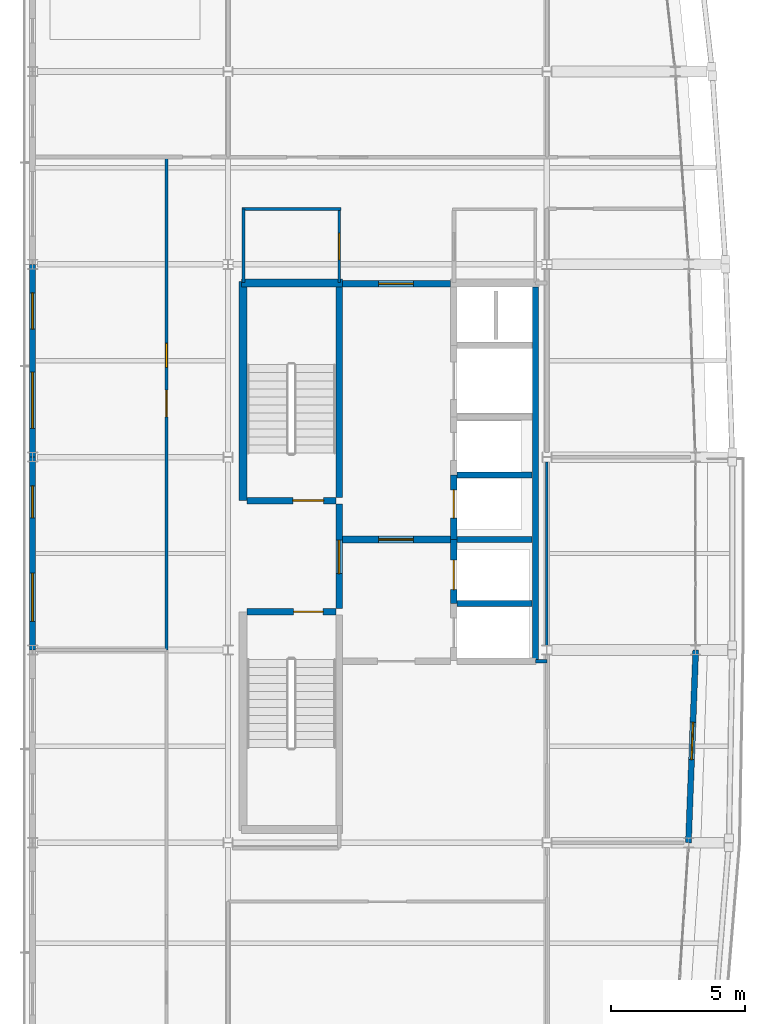
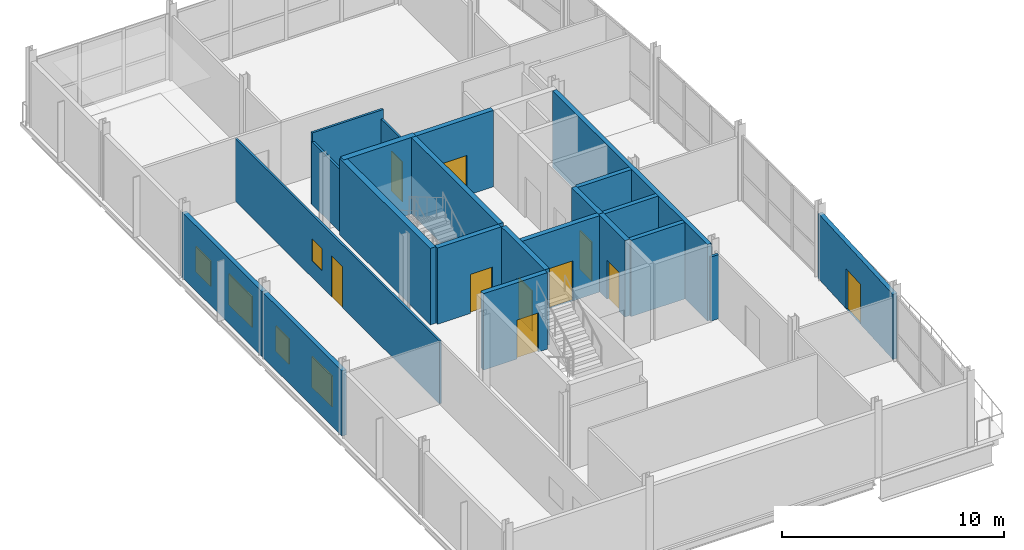
# One storey, part 12 of 17: 23 walls, 10 doors, 5 windows, 15 openings.
"""IFC4 building model written with IfcOpenShell, lengths in metres."""

from ifc_helpers import new_model, si_unit, direction, frame, frame_2d, origin, place, context, subcontext, project, spatial, rectangle, extrude, material, layer, layer_set, type_object, element, fill, save


model = new_model("IFC4")

# Units and contexts
model_context = context("Model", 3, precision=1e-05, world=origin(), true_north=direction((0.0, 1.0)))
body_context = subcontext(model_context, "Body", "Model", "MODEL_VIEW")
ifc_project = project(units=[si_unit("LENGTHUNIT", "METRE"), si_unit("AREAUNIT", "SQUARE_METRE"), si_unit("VOLUMEUNIT", "CUBIC_METRE"), si_unit("PLANEANGLEUNIT", "RADIAN"), si_unit("MASSUNIT", "GRAM", prefix="KILO")], contexts=[model_context])

# Site, building, storey
site_placement = place(None, origin())
site = spatial("IfcSite", under=ifc_project, at=site_placement, CompositionType="ELEMENT")
building_placement = place(site_placement, origin())
building = spatial("IfcBuilding", under=site, at=building_placement, Name="Quillay Park Conservatory", CompositionType="ELEMENT")
storey_placement = place(building_placement, frame((0.0, 0.0, 47.699951171875)))
storey = spatial("IfcBuildingStorey", under=building, at=storey_placement, Name="L11", CompositionType="ELEMENT", Elevation=47.699951171875)

# Wall
ifc_material_1 = material(Name="Steel-Stud Acoustic Gypsum Board Partition", Category="steel")
ifc_layer_1 = layer(ifc_material_1, 0.10009765625)
ifc_layer_set_1 = layer_set([ifc_layer_1], Name="ACOUSTIC GYPSUM PARTITION 100 (Steel-Stud Acoustic Gypsum Board Partition)")
wall_type_1 = type_object("IfcWallType", Name="ACOUSTIC GYPSUM PARTITION 100", PredefinedType="PARTITIONING", material=ifc_layer_set_1)
wall_1_placement = place(storey_placement, frame((19.75, 85.373046875, 0.0), z_axis=(0.0, 0.0, 1.0), x_axis=(0.0, 1.0, 0.0)))
element("IfcWall", 1, at=wall_1_placement, inside=storey, type_object=wall_type_1, Name="L11 East Sky-Terrace Botanical Field Studio West Wall 2", PredefinedType="PARTITIONING", context=body_context, shape_type="SweptSolid", body=[
    extrude(rectangle(XDim=6.847412109375, YDim=0.10009765625, at=frame_2d((3.423828125, 0.0))), origin(), (0.0, 0.0, 1.0), 3.527099609375),
])

# Wall, openings, window, door
ifc_material_2 = material(Name="Steel-Stud Acoustic Gypsum Board Partition", Category="steel")
ifc_layer_2 = layer(ifc_material_2, 0.10498046875)
ifc_layer_set_2 = layer_set([ifc_layer_2], Name="ACOUSTIC GYPSUM PARTITION 105 (Steel-Stud Acoustic Gypsum Board Partition)")
wall_type_2 = type_object("IfcWallType", Name="ACOUSTIC GYPSUM PARTITION 105", PredefinedType="PARTITIONING", material=ifc_layer_set_2)
wall_2_placement = place(storey_placement, frame((5.550048828125, 85.199951171875, 0.0), z_axis=(0.0, 0.0, 1.0), x_axis=(0.0, 1.0, 0.0)))
wall_2 = element("IfcWall", 2, at=wall_2_placement, inside=storey, type_object=wall_type_2, Name="L11 Ecology Fellows Reading Room Corridor Wall", PredefinedType="PARTITIONING", context=body_context, shape_type="SweptSolid", body=[
    extrude(rectangle(XDim=18.400146484375, YDim=0.10498046875, at=frame_2d((9.2001953125, 0.0))), origin(), (0.0, 0.0, 1.0), 3.450927734375),
])
opening_1_placement = place(wall_2_placement, frame((8.699951171875, 0.0, 0.0)))
opening_1 = element("IfcOpeningElement", 3, at=opening_1_placement, cuts=wall_2, Name="Opening D-RM19", PredefinedType="OPENING", context=body_context, shape_type="SweptSolid", body=[
    extrude(rectangle(XDim=1.0, YDim=2.25, at=frame_2d((0.5, 1.125))), frame((0.0, 0.052490234375, 0.0), z_axis=(0.0, -1.0, 0.0), x_axis=(1.0, 0.0, 0.0)), (0.0, 0.0, 1.0), 0.10498046875),
])
opening_2_placement = place(wall_2_placement, frame((10.550048828125, 0.0, 0.919921875)))
opening_2 = element("IfcOpeningElement", 4, at=opening_2_placement, cuts=wall_2, Name="Opening W-IN05", PredefinedType="OPENING", context=body_context, shape_type="SweptSolid", body=[
    extrude(rectangle(XDim=0.89990234375, YDim=1.199951171875, at=frame_2d((0.449951171875, 0.60009765625))), frame((0.0, 0.052490234375, 0.0), z_axis=(0.0, -1.0, 0.0), x_axis=(1.0, 0.0, 0.0)), (0.0, 0.0, 1.0), 0.10498046875),
])
ifc_material_3 = material(Name="Low-E Double Glazing (Laminated Tempered)", Category="glass")
window_type_1 = type_object("IfcWindowType", Name="OPERABLE VENT WINDOW 900 X1200", PartitioningType="SINGLE_PANEL", PredefinedType="WINDOW", material=ifc_material_3)
window_1_placement = place(opening_2_placement, origin())
window_1 = element("IfcWindow", 5, at=window_1_placement, inside=storey, type_object=window_type_1, Name="L11 Laboratory Vision Panel 041", OverallHeight=1.199951171875, OverallWidth=0.89990234375, PartitioningType="SINGLE_PANEL", PredefinedType="WINDOW", context=body_context, shape_type="SweptSolid", body=[
    extrude(rectangle(XDim=0.89990234375, YDim=1.199951171875, at=frame_2d((0.449951171875, 0.60009765625))), frame((0.0, 0.030029296875, 0.0), z_axis=(0.0, -1.0, 0.0), x_axis=(1.0, 0.0, 0.0)), (0.0, 0.0, 1.0), 0.06005859375),
])
fill(opening_2, window_1)
ifc_material_4 = material(Name="Thermally Broken Anodised Aluminium 6063-T6", Category="aluminium")
door_type_1 = type_object("IfcDoorType", Name="SINGLE SWING DOOR 1000 X2250", OperationType="NOTDEFINED", PredefinedType="DOOR", material=ifc_material_4)
door_1_placement = place(opening_1_placement, origin())
door_1 = element("IfcDoor", 6, at=door_1_placement, inside=storey, type_object=door_type_1, Name="L11 Door to Ecology Fellows Reading Room", OperationType="SINGLE_SWING_LEFT", OverallHeight=2.25, OverallWidth=1.0, PredefinedType="DOOR", context=body_context, shape_type="SweptSolid", body=[
    extrude(rectangle(XDim=1.0, YDim=2.25, at=frame_2d((0.5, 1.125))), frame((0.0, 0.02490234375, 0.0), z_axis=(0.0, -1.0, 0.0), x_axis=(1.0, 0.0, 0.0)), (0.0, 0.0, 1.0), 0.050048828125),
])
fill(opening_1, door_1)

# Wall, opening, door
ifc_material_5 = material(Name="Steel-Stud Acoustic Gypsum Board Partition", Category="steel")
ifc_layer_3 = layer(ifc_material_5, 0.110107421875)
ifc_layer_set_3 = layer_set([ifc_layer_3], Name="ACOUSTIC GYPSUM PARTITION 110 (Steel-Stud Acoustic Gypsum Board Partition)")
wall_type_3 = type_object("IfcWallType", Name="ACOUSTIC GYPSUM PARTITION 110", PredefinedType="PARTITIONING", material=ifc_layer_set_3)
wall_3_placement = place(storey_placement, frame((12.0, 101.60009765625, 0.0), z_axis=(0.0, 0.0, 1.0), x_axis=(0.0, -1.0, 0.0)))
wall_3 = element("IfcWall", 7, at=wall_3_placement, inside=storey, type_object=wall_type_3, Name="L11 Accessible WC Door Wall", PredefinedType="PARTITIONING", context=body_context, shape_type="SweptSolid", body=[
    extrude(rectangle(XDim=2.68017578125, YDim=0.110107421875, at=frame_2d((1.340087890625, 0.0))), origin(), (0.0, 0.0, 1.0), 3.450927734375),
])
opening_3_placement = place(wall_3_placement, frame((0.840087890625, 0.0, 0.0)))
opening_3 = element("IfcOpeningElement", 8, at=opening_3_placement, cuts=wall_3, Name="Opening D-RM14", PredefinedType="OPENING", context=body_context, shape_type="SweptSolid", body=[
    extrude(rectangle(XDim=1.0, YDim=2.199951171875, at=frame_2d((0.5, 1.10009765625))), frame((0.0, 0.05517578125, 0.0), z_axis=(0.0, -1.0, 0.0), x_axis=(1.0, 0.0, 0.0)), (0.0, 0.0, 1.0), 0.110107421875),
])
ifc_material_6 = material(Name="Thermally Broken Anodised Aluminium 6063-T6", Category="aluminium")
door_type_2 = type_object("IfcDoorType", Name="SINGLE SWING DOOR 1000 X2200", OperationType="NOTDEFINED", PredefinedType="DOOR", material=ifc_material_6)
door_2_placement = place(opening_3_placement, origin())
door_2 = element("IfcDoor", 9, at=door_2_placement, inside=storey, type_object=door_type_2, Name="L11 Door to L11 Accessible WC", OperationType="SINGLE_SWING_LEFT", OverallHeight=2.199951171875, OverallWidth=1.0, PredefinedType="DOOR", context=body_context, shape_type="SweptSolid", body=[
    extrude(rectangle(XDim=1.0, YDim=2.199951171875, at=frame_2d((0.5, 1.10009765625))), frame((0.0, 0.02490234375, 0.0), z_axis=(0.0, -1.0, 0.0), x_axis=(1.0, 0.0, 0.0)), (0.0, 0.0, 1.0), 0.050048828125),
])
fill(opening_3, door_2)

# Walls
ifc_material_7 = material(Name="Steel-Stud Acoustic Gypsum Board Partition", Category="steel")
ifc_layer_4 = layer(ifc_material_7, 0.114990234375)
ifc_layer_set_4 = layer_set([ifc_layer_4], Name="ACOUSTIC GYPSUM PARTITION 115 (Steel-Stud Acoustic Gypsum Board Partition)")
wall_type_4 = type_object("IfcWallType", Name="ACOUSTIC GYPSUM PARTITION 115", PredefinedType="PARTITIONING", material=ifc_layer_set_4)
wall_4_placement = place(storey_placement, frame((8.360107421875, 101.659912109375, 0.0), z_axis=(0.0, 0.0, 1.0), x_axis=(1.0, 0.0, 0.0)))
element("IfcWall", 10, at=wall_4_placement, inside=storey, type_object=wall_type_4, Name="L11 Accessible WC North Wall", PredefinedType="PARTITIONING", context=body_context, shape_type="SweptSolid", body=[
    extrude(rectangle(XDim=3.699951171875, YDim=0.114990234375, at=frame_2d((1.85009765625, 0.0))), origin(), (0.0, 0.0, 1.0), 3.949951171875),
])
ifc_material_8 = material(Name="Steel-Stud Acoustic Gypsum Board Partition", Category="steel")
ifc_layer_5 = layer(ifc_material_8, 0.1201171875)
ifc_layer_set_5 = layer_set([ifc_layer_5], Name="ACOUSTIC GYPSUM PARTITION 120 (Steel-Stud Acoustic Gypsum Board Partition)")
wall_type_5 = type_object("IfcWallType", Name="ACOUSTIC GYPSUM PARTITION 120", PredefinedType="PARTITIONING", material=ifc_layer_set_5)
wall_5_placement = place(storey_placement, frame((8.419921875, 98.919921875, 0.0), z_axis=(0.0, 0.0, 1.0), x_axis=(0.0, 1.0, 0.0)))
element("IfcWall", 11, at=wall_5_placement, inside=storey, type_object=wall_type_5, Name="L11 Accessible WC West Wall", PredefinedType="PARTITIONING", context=body_context, shape_type="SweptSolid", body=[
    extrude(rectangle(XDim=2.739990234375, YDim=0.1201171875, at=frame_2d((1.3701171875, 0.0))), origin(), (0.0, 0.0, 1.0), 3.450927734375),
])
ifc_material_9 = material(Name="Steel-Stud Acoustic Gypsum Board Partition", Category="steel")
ifc_layer_6 = layer(ifc_material_9, 0.1298828125)
ifc_layer_set_6 = layer_set([ifc_layer_6], Name="ACOUSTIC GYPSUM PARTITION 130 (Steel-Stud Acoustic Gypsum Board Partition)")
wall_type_6 = type_object("IfcWallType", Name="ACOUSTIC GYPSUM PARTITION 130", PredefinedType="PARTITIONING", material=ifc_layer_set_6)
wall_6_placement = place(storey_placement, frame((19.320068359375, 84.77490234375, 0.0), z_axis=(0.0, 0.0, 1.0), x_axis=(1.0, 0.0, 0.0)))
element("IfcWall", 12, at=wall_6_placement, inside=storey, type_object=wall_type_6, Name="L11 Core South-East Closure", PredefinedType="PARTITIONING", context=body_context, shape_type="SweptSolid", body=[
    extrude(rectangle(XDim=0.429931640625, YDim=0.1298828125, at=frame_2d((0.21484375, 0.0))), origin(), (0.0, 0.0, 1.0), 3.527099609375),
])
ifc_material_10 = material(Name="Concrete C35/45 (NCh170 Concrete C35/45)", Category="concrete")
ifc_layer_7 = layer(ifc_material_10, 0.22509765625)
ifc_layer_set_7 = layer_set([ifc_layer_7], Name="CORE SHEAR WALL 225 (Concrete C35/45 (NCh170 Concrete C35/45))")
wall_type_7 = type_object("IfcWallType", Name="CORE SHEAR WALL 225", PredefinedType="SHEAR", material=ifc_layer_set_7)
wall_7_placement = place(storey_placement, frame((19.320068359375, 84.800048828125, 0.0), z_axis=(0.0, 0.0, 1.0), x_axis=(0.0, 1.0, 0.0)))
element("IfcWall", 13, at=wall_7_placement, inside=storey, type_object=wall_type_7, Name="L11 Core Shear Wall WL-LFBACK-L11", PredefinedType="SHEAR", context=body_context, shape_type="SweptSolid", body=[
    extrude(rectangle(XDim=13.949951171875, YDim=0.22509765625, at=frame_2d((6.97509765625, 0.0))), origin(), (0.0, 0.0, 1.0), 4.199951171875),
])
for number, where, z_axis, x_axis, name in (
    (14, (16.39990234375, 86.925048828125, 0.0), (0.0, 0.0, 1.0), (1.0, 0.0, 0.0), "L11 Core Shear Wall WL-LFDIV-L11-869"),
    (15, (16.39990234375, 89.324951171875, 0.0), (0.0, 0.0, 1.0), (1.0, 0.0, 0.0), "L11 Core Shear Wall WL-LFDIV-L11-893"),
    (16, (16.39990234375, 91.72509765625, 0.0), (0.0, 0.0, 1.0), (1.0, 0.0, 0.0), "L11 Core Shear Wall WL-LFDIV-L11-917"),
):
    element("IfcWall", number, at=place(storey_placement, frame(where, z_axis=z_axis, x_axis=x_axis)), inside=storey, type_object=wall_type_7, Name=name, PredefinedType="SHEAR", context=body_context, shape_type="SweptSolid", body=[
        extrude(rectangle(XDim=2.800048828125, YDim=0.22509765625, at=frame_2d((1.39990234375, 0.0))), origin(), (0.0, 0.0, 1.0), 4.199951171875),
    ])
ifc_material_11 = material(Name="Concrete C40/50 (NCh170 Concrete C40/50)", Category="concrete")
ifc_layer_8 = layer(ifc_material_11, 0.25)
ifc_layer_set_8 = layer_set([ifc_layer_8], Name="CORE SHEAR WALL 250 (Concrete C40/50 (NCh170 Concrete C40/50))")
wall_type_8 = type_object("IfcWallType", Name="CORE SHEAR WALL 250", PredefinedType="SHEAR", material=ifc_layer_set_8)
wall_8_placement = place(storey_placement, frame((11.9951171875, 90.89990234375, 0.0), z_axis=(0.0, 0.0, 1.0), x_axis=(0.0, 1.0, 0.0)))
element("IfcWall", 17, at=wall_8_placement, inside=storey, type_object=wall_type_8, Name="L11 Core Shear Wall WL-T1E-L11", PredefinedType="SHEAR", context=body_context, shape_type="SweptSolid", body=[
    extrude(rectangle(XDim=7.85009765625, YDim=0.25, at=frame_2d((3.925048828125, 0.0))), origin(), (0.0, 0.0, 1.0), 4.199951171875),
])

# Wall, opening, door
wall_9_placement = place(storey_placement, frame((11.9951171875, 86.75, 0.0), z_axis=(0.0, 0.0, 1.0), x_axis=(0.0, 1.0, 0.0)))
wall_9 = element("IfcWall", 18, at=wall_9_placement, inside=storey, type_object=wall_type_8, Name="L11 Core Shear Wall WL-FFW-L11", PredefinedType="SHEAR", context=body_context, shape_type="SweptSolid", body=[
    extrude(rectangle(XDim=3.89990234375, YDim=0.25, at=frame_2d((1.949951171875, 0.0))), origin(), (0.0, 0.0, 1.0), 4.199951171875),
])
opening_4_placement = place(wall_9_placement, frame((1.300048828125, 0.0, 0.0)))
opening_4 = element("IfcOpeningElement", 19, at=opening_4_placement, cuts=wall_9, Name="Opening D-LB01", PredefinedType="OPENING", context=body_context, shape_type="SweptSolid", body=[
    extrude(rectangle(XDim=1.25, YDim=2.199951171875, at=frame_2d((0.625, 1.10009765625))), frame((0.0, 0.125, 0.0), z_axis=(0.0, -1.0, 0.0), x_axis=(1.0, 0.0, 0.0)), (0.0, 0.0, 1.0), 0.25),
])
ifc_material_12 = material(Name="Steel ASTM A572 Grade 50", Category="steel")
door_type_3 = type_object("IfcDoorType", Name="FIRE RATED LOBBY DOOR 1250 X2200", OperationType="NOTDEFINED", PredefinedType="DOOR", material=ifc_material_12)
door_3_placement = place(opening_4_placement, origin())
door_3 = element("IfcDoor", 20, at=door_3_placement, inside=storey, type_object=door_type_3, Name="L11 Firefighting Lobby Corridor Door", OperationType="SINGLE_SWING_LEFT", OverallHeight=2.199951171875, OverallWidth=1.25, PredefinedType="DOOR", context=body_context, shape_type="SweptSolid", body=[
    extrude(rectangle(XDim=1.25, YDim=2.199951171875, at=frame_2d((0.625, 1.10009765625))), frame((0.0, 0.02490234375, 0.0), z_axis=(0.0, -1.0, 0.0), x_axis=(1.0, 0.0, 0.0)), (0.0, 0.0, 1.0), 0.050048828125),
])
fill(opening_4, door_3)

wall_10_placement = place(storey_placement, frame((12.1201171875, 98.875, 0.0), z_axis=(0.0, 0.0, 1.0), x_axis=(1.0, 0.0, 0.0)))
wall_10 = element("IfcWall", 21, at=wall_10_placement, inside=storey, type_object=wall_type_8, Name="L11 Core Shear Wall WL-PAXN-L11", PredefinedType="SHEAR", context=body_context, shape_type="SweptSolid", body=[
    extrude(rectangle(XDim=4.02978515625, YDim=0.25, at=frame_2d((2.014892578125, 0.0))), origin(), (0.0, 0.0, 1.0), 4.199951171875),
])
opening_5_placement = place(wall_10_placement, frame((1.35009765625, 0.0, 0.0)))
opening_5 = element("IfcOpeningElement", 22, at=opening_5_placement, cuts=wall_10, Name="Opening D-LB02", PredefinedType="OPENING", context=body_context, shape_type="SweptSolid", body=[
    extrude(rectangle(XDim=1.300048828125, YDim=2.199951171875, at=frame_2d((0.64990234375, 1.10009765625))), frame((0.0, 0.125, 0.0), z_axis=(0.0, -1.0, 0.0), x_axis=(1.0, 0.0, 0.0)), (0.0, 0.0, 1.0), 0.25),
])
ifc_material_13 = material(Name="Steel ASTM A572 Grade 50", Category="steel")
door_type_4 = type_object("IfcDoorType", Name="FIRE RATED LOBBY DOOR 1300 X2200", OperationType="NOTDEFINED", PredefinedType="DOOR", material=ifc_material_13)
door_4_placement = place(opening_5_placement, origin())
door_4 = element("IfcDoor", 23, at=door_4_placement, inside=storey, type_object=door_type_4, Name="L11 North Lift Lobby Door", OperationType="SINGLE_SWING_RIGHT", OverallHeight=2.199951171875, OverallWidth=1.300048828125, PredefinedType="DOOR", context=body_context, shape_type="SweptSolid", body=[
    extrude(rectangle(XDim=1.300048828125, YDim=2.199951171875, at=frame_2d((0.64990234375, 1.10009765625))), frame((0.0, 0.02490234375, 0.0), z_axis=(0.0, -1.0, 0.0), x_axis=(1.0, 0.0, 0.0)), (0.0, 0.0, 1.0), 0.050048828125),
])
fill(opening_5, door_4)

wall_11_placement = place(storey_placement, frame((8.550048828125, 86.625, 0.0), z_axis=(0.0, 0.0, 1.0), x_axis=(1.0, 0.0, 0.0)))
wall_11 = element("IfcWall", 24, at=wall_11_placement, inside=storey, type_object=wall_type_8, Name="L11 Core Shear Wall WL-ST2D-L11", PredefinedType="SHEAR", context=body_context, shape_type="SweptSolid", body=[
    extrude(rectangle(XDim=3.320068359375, YDim=0.25, at=frame_2d((1.66015625, 0.0))), origin(), (0.0, 0.0, 1.0), 4.199951171875),
])
opening_6_placement = place(wall_11_placement, frame((1.75, 0.0, 0.0)))
opening_6 = element("IfcOpeningElement", 25, at=opening_6_placement, cuts=wall_11, Name="Opening D-ST01", PredefinedType="OPENING", context=body_context, shape_type="SweptSolid", body=[
    extrude(rectangle(XDim=1.10009765625, YDim=2.14990234375, at=frame_2d((0.550048828125, 1.074951171875))), frame((0.0, 0.125, 0.0), z_axis=(0.0, -1.0, 0.0), x_axis=(1.0, 0.0, 0.0)), (0.0, 0.0, 1.0), 0.25),
])
ifc_material_14 = material(Name="Steel ASTM A572 Grade 50", Category="steel")
door_type_5 = type_object("IfcDoorType", Name="FIRE RATED STAIR DOOR 1100 X2150", OperationType="NOTDEFINED", PredefinedType="DOOR", material=ifc_material_14)
door_5_placement = place(opening_6_placement, origin())
door_5 = element("IfcDoor", 26, at=door_5_placement, inside=storey, type_object=door_type_5, Name="L11 Protected Stair ST-T2 Door", OperationType="SINGLE_SWING_LEFT", OverallHeight=2.14990234375, OverallWidth=1.10009765625, PredefinedType="DOOR", context=body_context, shape_type="SweptSolid", body=[
    extrude(rectangle(XDim=1.10009765625, YDim=2.14990234375, at=frame_2d((0.550048828125, 1.074951171875))), frame((0.0, 0.02490234375, 0.0), z_axis=(0.0, -1.0, 0.0), x_axis=(1.0, 0.0, 0.0)), (0.0, 0.0, 1.0), 0.050048828125),
])
fill(opening_6, door_5)

wall_12_placement = place(storey_placement, frame((11.8701171875, 90.77490234375, 0.0), z_axis=(0.0, 0.0, 1.0), x_axis=(-1.0, 0.0, 0.0)))
wall_12 = element("IfcWall", 27, at=wall_12_placement, inside=storey, type_object=wall_type_8, Name="L11 Core Shear Wall WL-ST1D-L11", PredefinedType="SHEAR", context=body_context, shape_type="SweptSolid", body=[
    extrude(rectangle(XDim=3.320068359375, YDim=0.25, at=frame_2d((1.66015625, 0.0))), origin(), (0.0, 0.0, 1.0), 4.199951171875),
])
opening_7_placement = place(wall_12_placement, frame((0.449951171875, 0.0, 0.0)))
opening_7 = element("IfcOpeningElement", 28, at=opening_7_placement, cuts=wall_12, Name="Opening D-ST02", PredefinedType="OPENING", context=body_context, shape_type="SweptSolid", body=[
    extrude(rectangle(XDim=1.14990234375, YDim=2.14990234375, at=frame_2d((0.574951171875, 1.074951171875))), frame((0.0, 0.125, 0.0), z_axis=(0.0, -1.0, 0.0), x_axis=(1.0, 0.0, 0.0)), (0.0, 0.0, 1.0), 0.25),
])
ifc_material_15 = material(Name="Steel ASTM A572 Grade 50", Category="steel")
door_type_6 = type_object("IfcDoorType", Name="FIRE RATED STAIR DOOR 1150 X2150", OperationType="NOTDEFINED", PredefinedType="DOOR", material=ifc_material_15)
door_6_placement = place(opening_7_placement, origin())
door_6 = element("IfcDoor", 29, at=door_6_placement, inside=storey, type_object=door_type_6, Name="L11 Protected Stair ST-T1 Door", OperationType="SINGLE_SWING_RIGHT", OverallHeight=2.14990234375, OverallWidth=1.14990234375, PredefinedType="DOOR", context=body_context, shape_type="SweptSolid", body=[
    extrude(rectangle(XDim=1.14990234375, YDim=2.14990234375, at=frame_2d((0.574951171875, 1.074951171875))), frame((0.0, 0.02490234375, 0.0), z_axis=(0.0, -1.0, 0.0), x_axis=(1.0, 0.0, 0.0)), (0.0, 0.0, 1.0), 0.050048828125),
])
fill(opening_7, door_6)

wall_13_placement = place(storey_placement, frame((12.1201171875, 89.324951171875, 0.0), z_axis=(0.0, 0.0, 1.0), x_axis=(1.0, 0.0, 0.0)))
wall_13 = element("IfcWall", 30, at=wall_13_placement, inside=storey, type_object=wall_type_8, Name="L11 Core Shear Wall WL-FFDIV-L11", PredefinedType="SHEAR", context=body_context, shape_type="SweptSolid", body=[
    extrude(rectangle(XDim=4.02978515625, YDim=0.25, at=frame_2d((2.014892578125, 0.0))), origin(), (0.0, 0.0, 1.0), 4.199951171875),
])
opening_8_placement = place(wall_13_placement, frame((1.35009765625, 0.0, 0.0)))
opening_8 = element("IfcOpeningElement", 31, at=opening_8_placement, cuts=wall_13, Name="Opening D-LB02", PredefinedType="OPENING", context=body_context, shape_type="SweptSolid", body=[
    extrude(rectangle(XDim=1.300048828125, YDim=2.199951171875, at=frame_2d((0.64990234375, 1.10009765625))), frame((0.0, 0.125, 0.0), z_axis=(0.0, -1.0, 0.0), x_axis=(1.0, 0.0, 0.0)), (0.0, 0.0, 1.0), 0.25),
])
door_7_placement = place(opening_8_placement, origin())
door_7 = element("IfcDoor", 32, at=door_7_placement, inside=storey, type_object=door_type_4, Name="L11 Firefighting to Passenger Lobby Door", OperationType="SINGLE_SWING_LEFT", OverallHeight=2.199951171875, OverallWidth=1.300048828125, PredefinedType="DOOR", context=body_context, shape_type="SweptSolid", body=[
    extrude(rectangle(XDim=1.300048828125, YDim=2.199951171875, at=frame_2d((0.64990234375, 1.10009765625))), frame((0.0, 0.02490234375, 0.0), z_axis=(0.0, -1.0, 0.0), x_axis=(1.0, 0.0, 0.0)), (0.0, 0.0, 1.0), 0.050048828125),
])
fill(opening_8, door_7)

wall_14_placement = place(storey_placement, frame((16.27490234375, 86.925048828125, 0.0), z_axis=(0.0, 0.0, 1.0), x_axis=(0.0, 1.0, 0.0)))
wall_14 = element("IfcWall", 33, at=wall_14_placement, inside=storey, type_object=wall_type_8, Name="L11 Core Shear Wall WL-LFFR-L11-LF-FF2", PredefinedType="SHEAR", context=body_context, shape_type="SweptSolid", body=[
    extrude(rectangle(XDim=2.39990234375, YDim=0.25, at=frame_2d((1.199951171875, 0.0))), origin(), (0.0, 0.0, 1.0), 4.199951171875),
])
opening_9_placement = place(wall_14_placement, frame((0.52490234375, 0.0, 0.0)))
opening_9 = element("IfcOpeningElement", 34, at=opening_9_placement, cuts=wall_14, Name="Opening LD01", PredefinedType="OPENING", context=body_context, shape_type="SweptSolid", body=[
    extrude(rectangle(XDim=1.10009765625, YDim=2.14990234375, at=frame_2d((0.550048828125, 1.074951171875))), frame((0.0, 0.125, 0.0), z_axis=(0.0, -1.0, 0.0), x_axis=(1.0, 0.0, 0.0)), (0.0, 0.0, 1.0), 0.25),
])
ifc_material_16 = material(Name="Steel ASTM A572 Grade 50", Category="steel")
door_type_7 = type_object("IfcDoorType", Name="LIFT LANDING SLIDING DOOR 1100 X2150", OperationType="NOTDEFINED", PredefinedType="DOOR", material=ifc_material_16)
door_8_placement = place(opening_9_placement, origin())
door_8 = element("IfcDoor", 35, at=door_8_placement, inside=storey, type_object=door_type_7, Name="L11 LF-FF2 Lift Landing Door LD01", OperationType="SLIDING_TO_LEFT", OverallHeight=2.14990234375, OverallWidth=1.10009765625, PredefinedType="DOOR", context=body_context, shape_type="SweptSolid", body=[
    extrude(rectangle(XDim=1.10009765625, YDim=2.14990234375, at=frame_2d((0.550048828125, 1.074951171875))), frame((0.0, 0.02490234375, 0.0), z_axis=(0.0, -1.0, 0.0), x_axis=(1.0, 0.0, 0.0)), (0.0, 0.0, 1.0), 0.050048828125),
])
fill(opening_9, door_8)

wall_15_placement = place(storey_placement, frame((16.27490234375, 89.324951171875, 0.0), z_axis=(0.0, 0.0, 1.0), x_axis=(0.0, 1.0, 0.0)))
wall_15 = element("IfcWall", 36, at=wall_15_placement, inside=storey, type_object=wall_type_8, Name="L11 Core Shear Wall WL-LFFR-L11-LF-P1", PredefinedType="SHEAR", context=body_context, shape_type="SweptSolid", body=[
    extrude(rectangle(XDim=2.400146484375, YDim=0.25, at=frame_2d((1.2001953125, 0.0))), origin(), (0.0, 0.0, 1.0), 4.199951171875),
])
opening_10_placement = place(wall_15_placement, frame((0.800048828125, 0.0, 0.0)))
opening_10 = element("IfcOpeningElement", 37, at=opening_10_placement, cuts=wall_15, Name="Opening LD02", PredefinedType="OPENING", context=body_context, shape_type="SweptSolid", body=[
    extrude(rectangle(XDim=1.050048828125, YDim=2.14990234375, at=frame_2d((0.52490234375, 1.074951171875))), frame((0.0, 0.125, 0.0), z_axis=(0.0, -1.0, 0.0), x_axis=(1.0, 0.0, 0.0)), (0.0, 0.0, 1.0), 0.25),
])
ifc_material_17 = material(Name="Steel ASTM A572 Grade 50", Category="steel")
door_type_8 = type_object("IfcDoorType", Name="LIFT LANDING SLIDING DOOR 1050 X2150", OperationType="NOTDEFINED", PredefinedType="DOOR", material=ifc_material_17)
door_9_placement = place(opening_10_placement, origin())
door_9 = element("IfcDoor", 38, at=door_9_placement, inside=storey, type_object=door_type_8, Name="L11 LF-P1 Lift Landing Door LD02", OperationType="SLIDING_TO_LEFT", OverallHeight=2.14990234375, OverallWidth=1.050048828125, PredefinedType="DOOR", context=body_context, shape_type="SweptSolid", body=[
    extrude(rectangle(XDim=1.050048828125, YDim=2.14990234375, at=frame_2d((0.52490234375, 1.074951171875))), frame((0.0, 0.02490234375, 0.0), z_axis=(0.0, -1.0, 0.0), x_axis=(1.0, 0.0, 0.0)), (0.0, 0.0, 1.0), 0.050048828125),
])
fill(opening_10, door_9)

# Walls
ifc_material_18 = material(Name="Concrete C40/50 (NCh170 Concrete C40/50)", Category="concrete")
ifc_layer_9 = layer(ifc_material_18, 0.300048828125)
ifc_layer_set_9 = layer_set([ifc_layer_9], Name="CORE SHEAR WALL 300 (Concrete C40/50 (NCh170 Concrete C40/50))")
wall_type_9 = type_object("IfcWallType", Name="CORE SHEAR WALL 300", PredefinedType="SHEAR", material=ifc_layer_set_9)
wall_16_placement = place(storey_placement, frame((8.39990234375, 90.77490234375, 0.0), z_axis=(0.0, 0.0, 1.0), x_axis=(0.0, 1.0, 0.0)))
element("IfcWall", 39, at=wall_16_placement, inside=storey, type_object=wall_type_9, Name="L11 Core Shear Wall WL-TCW-N-L11", PredefinedType="SHEAR", context=body_context, shape_type="SweptSolid", body=[
    extrude(rectangle(XDim=8.175048828125, YDim=0.300048828125, at=frame_2d((4.08740234375, 0.0))), origin(), (0.0, 0.0, 1.0), 4.199951171875),
])
wall_17_placement = place(storey_placement, frame((8.35009765625, 98.89990234375, 0.0), z_axis=(0.0, 0.0, 1.0), x_axis=(1.0, 0.0, 0.0)))
element("IfcWall", 40, at=wall_17_placement, inside=storey, type_object=wall_type_9, Name="L11 Core Shear Wall WL-TCN-W-L11", PredefinedType="SHEAR", context=body_context, shape_type="SweptSolid", body=[
    extrude(rectangle(XDim=3.77001953125, YDim=0.300048828125, at=frame_2d((1.885009765625, 0.0))), origin(), (0.0, 0.0, 1.0), 4.199951171875),
])

# Wall, openings, windows
ifc_material_19 = material(Name="Glass-Fibre Reinforced Concrete (GRC) Cladding", Category="concrete")
ifc_layer_10 = layer(ifc_material_19, 0.219970703125)
ifc_layer_set_10 = layer_set([ifc_layer_10], Name="EXTERIOR SOLID WALL 220 (Glass-Fibre Reinforced Concrete (GRC) Cladding)")
wall_type_10 = type_object("IfcWallType", Name="EXTERIOR SOLID WALL 220", PredefinedType="SOLIDWALL", material=ifc_layer_set_10)
wall_18_placement = place(storey_placement, frame((0.550048828125, 85.199951171875, 0.0), z_axis=(0.0, 0.0, 1.0), x_axis=(0.0, 1.0, 0.0)))
wall_18 = element("IfcWall", 41, at=wall_18_placement, inside=storey, type_object=wall_type_10, Name="L11 External Wall WL-EXT-V4W-L11-2", PredefinedType="SOLIDWALL", context=body_context, shape_type="SweptSolid", body=[
    extrude(rectangle(XDim=7.199951171875, YDim=0.219970703125, at=frame_2d((3.60009765625, 0.0))), origin(), (0.0, 0.0, 1.0), 3.5771484375),
])
opening_11_placement = place(wall_18_placement, frame((1.070068359375, 0.0, 0.919921875)))
opening_11 = element("IfcOpeningElement", 42, at=opening_11_placement, cuts=wall_18, Name="Opening W-14", PredefinedType="OPENING", context=body_context, shape_type="SweptSolid", body=[
    extrude(rectangle(XDim=1.800048828125, YDim=1.699951171875, at=frame_2d((0.89990234375, 0.85009765625))), frame((0.0, 0.10986328125, 0.0), z_axis=(0.0, -1.0, 0.0), x_axis=(1.0, 0.0, 0.0)), (0.0, 0.0, 1.0), 0.219970703125),
])
opening_12_placement = place(wall_18_placement, frame((4.929931640625, 0.0, 0.919921875)))
opening_12 = element("IfcOpeningElement", 43, at=opening_12_placement, cuts=wall_18, Name="Opening W-01", PredefinedType="OPENING", context=body_context, shape_type="SweptSolid", body=[
    extrude(rectangle(XDim=1.199951171875, YDim=1.39990234375, at=frame_2d((0.60009765625, 0.699951171875))), frame((0.0, 0.10986328125, 0.0), z_axis=(0.0, -1.0, 0.0), x_axis=(1.0, 0.0, 0.0)), (0.0, 0.0, 1.0), 0.219970703125),
])
ifc_material_20 = material(Name="Low-E Double Glazing (Laminated Tempered)", Category="glass")
window_type_2 = type_object("IfcWindowType", Name="FIXED CASEMENT WINDOW 1200 X1400", PartitioningType="SINGLE_PANEL", PredefinedType="WINDOW", material=ifc_material_20)
window_2_placement = place(opening_12_placement, origin())
window_2 = element("IfcWindow", 44, at=window_2_placement, inside=storey, type_object=window_type_2, Name="L11 Exterior Window 0258", OverallHeight=1.39990234375, OverallWidth=1.199951171875, PartitioningType="SINGLE_PANEL", PredefinedType="WINDOW", context=body_context, shape_type="SweptSolid", body=[
    extrude(rectangle(XDim=1.199951171875, YDim=1.39990234375, at=frame_2d((0.60009765625, 0.699951171875))), frame((0.0, 0.030029296875, 0.0), z_axis=(0.0, -1.0, 0.0), x_axis=(1.0, 0.0, 0.0)), (0.0, 0.0, 1.0), 0.06005859375),
])
fill(opening_12, window_2)
ifc_material_21 = material(Name="Low-E Double Glazing (Laminated Tempered)", Category="glass")
window_type_3 = type_object("IfcWindowType", Name="FIXED CASEMENT WINDOW 1800 X1700", PartitioningType="DOUBLE_PANEL_VERTICAL", PredefinedType="WINDOW", material=ifc_material_21)
window_3_placement = place(opening_11_placement, origin())
window_3 = element("IfcWindow", 45, at=window_3_placement, inside=storey, type_object=window_type_3, Name="L11 Exterior Window 0257", OverallHeight=1.699951171875, OverallWidth=1.800048828125, PartitioningType="DOUBLE_PANEL_VERTICAL", PredefinedType="WINDOW", context=body_context, shape_type="SweptSolid", body=[
    extrude(rectangle(XDim=1.800048828125, YDim=1.699951171875, at=frame_2d((0.89990234375, 0.85009765625))), frame((0.0, 0.030029296875, 0.0), z_axis=(0.0, -1.0, 0.0), x_axis=(1.0, 0.0, 0.0)), (0.0, 0.0, 1.0), 0.06005859375),
])
fill(opening_11, window_3)

wall_19_placement = place(storey_placement, frame((0.550048828125, 92.39990234375, 0.0), z_axis=(0.0, 0.0, 1.0), x_axis=(0.0, 1.0, 0.0)))
wall_19 = element("IfcWall", 46, at=wall_19_placement, inside=storey, type_object=wall_type_10, Name="L11 External Wall WL-EXT-V4W-L11-3", PredefinedType="SOLIDWALL", context=body_context, shape_type="SweptSolid", body=[
    extrude(rectangle(XDim=7.2001953125, YDim=0.219970703125, at=frame_2d((3.60009765625, 0.0))), origin(), (0.0, 0.0, 1.0), 3.5771484375),
])
opening_13_placement = place(wall_19_placement, frame((1.070068359375, 0.0, 0.919921875)))
opening_13 = element("IfcOpeningElement", 47, at=opening_13_placement, cuts=wall_19, Name="Opening W-15", PredefinedType="OPENING", context=body_context, shape_type="SweptSolid", body=[
    extrude(rectangle(XDim=2.10009765625, YDim=1.699951171875, at=frame_2d((1.050048828125, 0.85009765625))), frame((0.0, 0.10986328125, 0.0), z_axis=(0.0, -1.0, 0.0), x_axis=(1.0, 0.0, 0.0)), (0.0, 0.0, 1.0), 0.219970703125),
])
opening_14_placement = place(wall_19_placement, frame((4.780029296875, 0.0, 0.919921875)))
opening_14 = element("IfcOpeningElement", 48, at=opening_14_placement, cuts=wall_19, Name="Opening W-02", PredefinedType="OPENING", context=body_context, shape_type="SweptSolid", body=[
    extrude(rectangle(XDim=1.35009765625, YDim=1.39990234375, at=frame_2d((0.675048828125, 0.699951171875))), frame((0.0, 0.10986328125, 0.0), z_axis=(0.0, -1.0, 0.0), x_axis=(1.0, 0.0, 0.0)), (0.0, 0.0, 1.0), 0.219970703125),
])
ifc_material_22 = material(Name="Low-E Double Glazing (Laminated Tempered)", Category="glass")
window_type_4 = type_object("IfcWindowType", Name="FIXED CASEMENT WINDOW 1350 X1400", PartitioningType="SINGLE_PANEL", PredefinedType="WINDOW", material=ifc_material_22)
window_4_placement = place(opening_14_placement, origin())
window_4 = element("IfcWindow", 49, at=window_4_placement, inside=storey, type_object=window_type_4, Name="L11 Exterior Window 0260", OverallHeight=1.39990234375, OverallWidth=1.35009765625, PartitioningType="SINGLE_PANEL", PredefinedType="WINDOW", context=body_context, shape_type="SweptSolid", body=[
    extrude(rectangle(XDim=1.35009765625, YDim=1.39990234375, at=frame_2d((0.675048828125, 0.699951171875))), frame((0.0, 0.030029296875, 0.0), z_axis=(0.0, -1.0, 0.0), x_axis=(1.0, 0.0, 0.0)), (0.0, 0.0, 1.0), 0.06005859375),
])
fill(opening_14, window_4)
ifc_material_23 = material(Name="Low-E Double Glazing (Laminated Tempered)", Category="glass")
window_type_5 = type_object("IfcWindowType", Name="FIXED CASEMENT WINDOW 2100 X1700", PartitioningType="DOUBLE_PANEL_VERTICAL", PredefinedType="WINDOW", material=ifc_material_23)
window_5_placement = place(opening_13_placement, origin())
window_5 = element("IfcWindow", 50, at=window_5_placement, inside=storey, type_object=window_type_5, Name="L11 Exterior Window 0259", OverallHeight=1.699951171875, OverallWidth=2.10009765625, PartitioningType="DOUBLE_PANEL_VERTICAL", PredefinedType="WINDOW", context=body_context, shape_type="SweptSolid", body=[
    extrude(rectangle(XDim=2.10009765625, YDim=1.699951171875, at=frame_2d((1.050048828125, 0.85009765625))), frame((0.0, 0.030029296875, 0.0), z_axis=(0.0, -1.0, 0.0), x_axis=(1.0, 0.0, 0.0)), (0.0, 0.0, 1.0), 0.06005859375),
])
fill(opening_13, window_5)

# Wall, opening, door
wall_20_placement = place(storey_placement, frame((25.311279296875, 85.19970703125, 0.0), z_axis=(0.0, 0.0, 1.0), x_axis=(-0.037818828921, -0.9992846122, 0.0)))
wall_20 = element("IfcWall", 51, at=wall_20_placement, inside=storey, type_object=wall_type_10, Name="L11 External Wall WL-EXT-L11-TERR", PredefinedType="SOLIDWALL", context=body_context, shape_type="SweptSolid", body=[
    extrude(rectangle(XDim=7.204345703125, YDim=0.219970703125, at=frame_2d((3.60205078125, 0.0))), origin(), (0.0, 0.0, 1.0), 3.5771484375),
])
opening_15_placement = place(wall_20_placement, frame((2.69970703125, 0.0, 0.0)))
opening_15 = element("IfcOpeningElement", 52, at=opening_15_placement, cuts=wall_20, Name="Opening D-TR03", PredefinedType="OPENING", context=body_context, shape_type="SweptSolid", body=[
    extrude(rectangle(XDim=1.39990234375, YDim=2.199951171875, at=frame_2d((0.699951171875, 1.10009765625))), frame((0.0, 0.10986328125, 0.0), z_axis=(0.0, -1.0, 0.0), x_axis=(1.0, 0.0, 0.0)), (0.0, 0.0, 1.0), 0.219970703125),
])
ifc_material_24 = material(Name="Thermally Broken Anodised Aluminium 6063-T6", Category="aluminium")
door_type_9 = type_object("IfcDoorType", Name="TERRACE GLAZED DOOR 1400 X2200", OperationType="NOTDEFINED", PredefinedType="DOOR", material=ifc_material_24)
door_10_placement = place(opening_15_placement, origin())
door_10 = element("IfcDoor", 53, at=door_10_placement, inside=storey, type_object=door_type_9, Name="L11 East Botanical Sky Terrace Door", OperationType="SINGLE_SWING_LEFT", OverallHeight=2.199951171875, OverallWidth=1.39990234375, PredefinedType="DOOR", context=body_context, shape_type="SweptSolid", body=[
    extrude(rectangle(XDim=1.39990234375, YDim=2.199951171875, at=frame_2d((0.699951171875, 1.10009765625))), frame((0.0, 0.02490234375, 0.0), z_axis=(0.0, -1.0, 0.0), x_axis=(1.0, 0.0, 0.0)), (0.0, 0.0, 1.0), 0.050048828125),
])
fill(opening_15, door_10)

save(model, "model.ifc")
